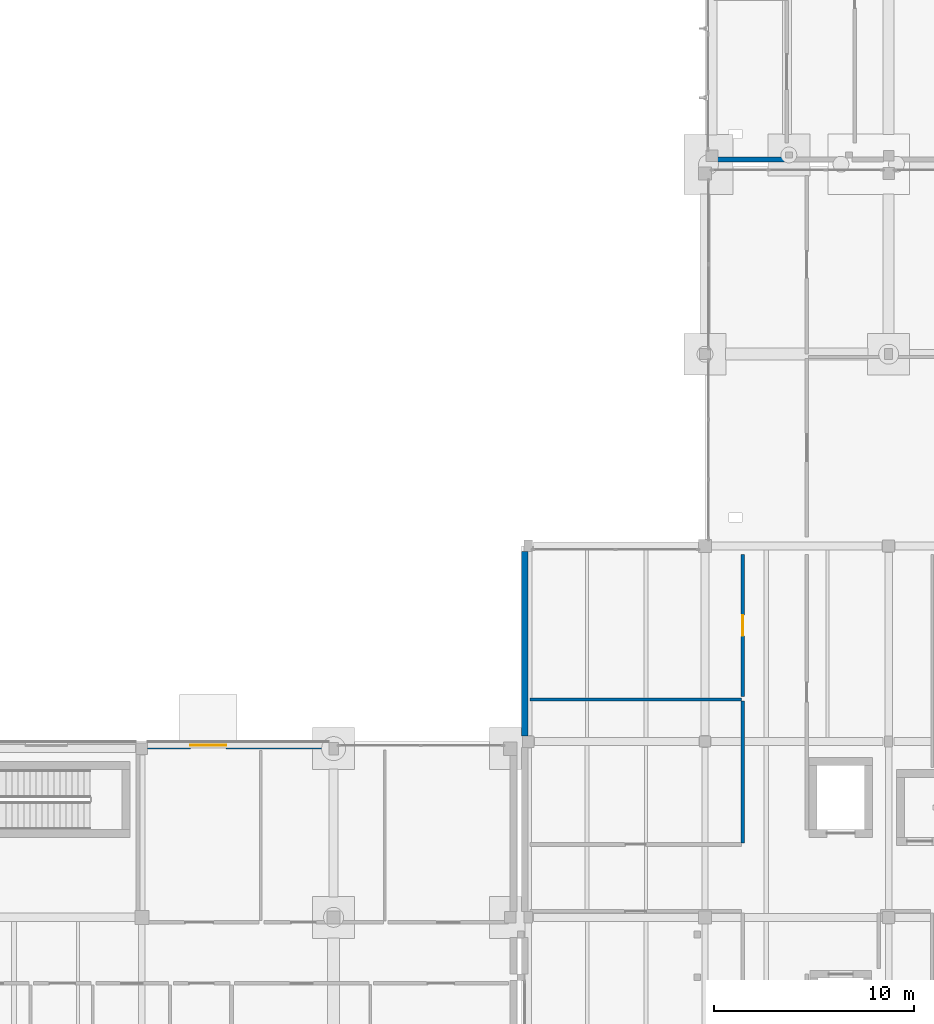
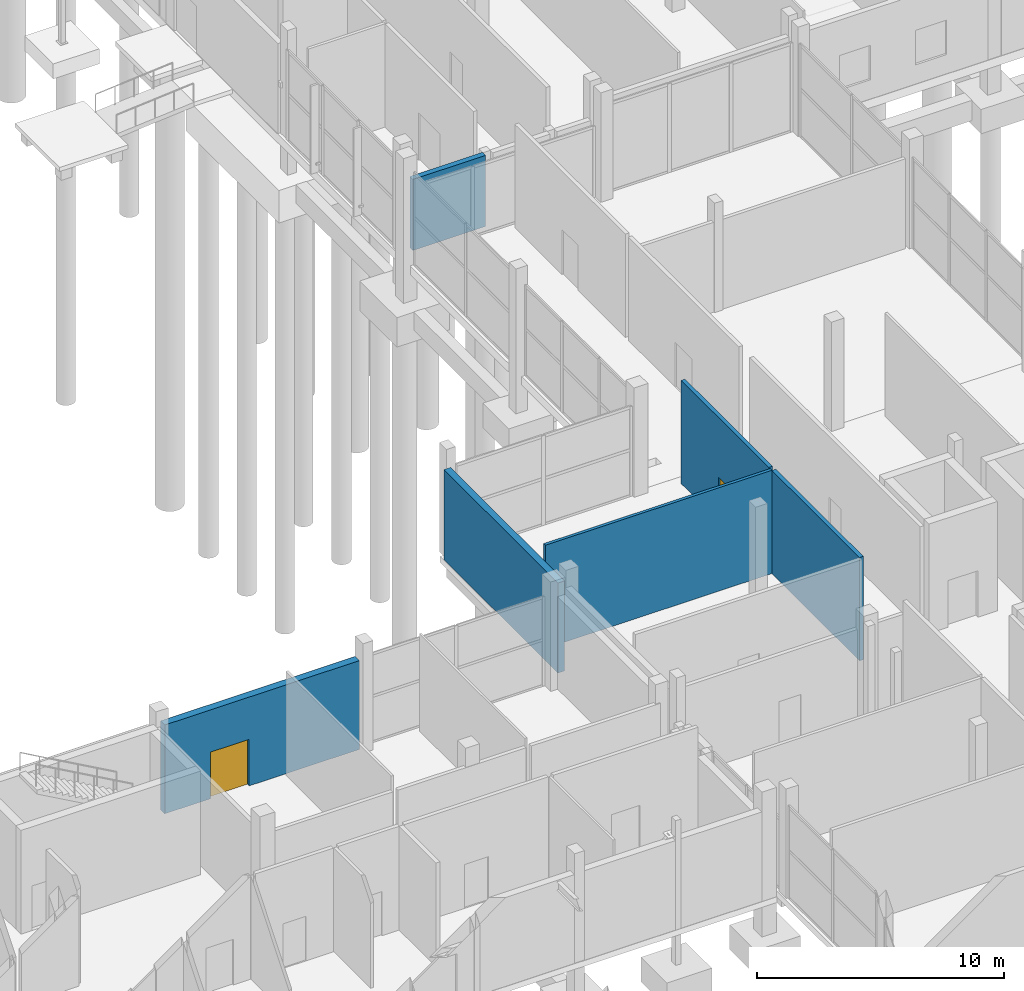
# One storey, part 62 of 88: 6 walls, 2 doors, 2 openings.
"""IFC4 building model written with IfcOpenShell, lengths in metres."""

from ifc_helpers import new_model, si_unit, direction, frame, frame_2d, origin, place, context, subcontext, project, spatial, rectangle, extrude, material, layer, layer_set, type_object, element, fill, save


model = new_model("IFC4")

# Units and contexts
model_context = context("Model", 3, precision=1e-05, world=origin(), true_north=direction((0.0, 1.0)))
body_context = subcontext(model_context, "Body", "Model", "MODEL_VIEW")
ifc_project = project(units=[si_unit("LENGTHUNIT", "METRE"), si_unit("AREAUNIT", "SQUARE_METRE"), si_unit("VOLUMEUNIT", "CUBIC_METRE"), si_unit("PLANEANGLEUNIT", "RADIAN"), si_unit("MASSUNIT", "GRAM", prefix="KILO")], contexts=[model_context])

# Site, building, storey
site_placement = place(None, origin())
site = spatial("IfcSite", under=ifc_project, at=site_placement, CompositionType="ELEMENT")
building_placement = place(site_placement, origin())
building = spatial("IfcBuilding", under=site, at=building_placement, Name="Birchvale Park Specialist Clinic", CompositionType="ELEMENT")
storey_placement = place(building_placement, origin())
storey = spatial("IfcBuildingStorey", under=building, at=storey_placement, Name="L00", CompositionType="ELEMENT", Elevation=0.0)

# Wall, opening, door
ifc_material_1 = material(Name="Lime-white mineral-rendered insulated masonry", Category="masonry")
ifc_layer_1 = layer(ifc_material_1, 0.340087890625)
ifc_layer_set_1 = layer_set([ifc_layer_1], Name="Lime-white mineral-rendered insulated masonry")
wall_type_1 = type_object("IfcWallType", Name="WL-EW-01", PredefinedType="STANDARD", material=ifc_layer_set_1)
wall_1_placement = place(storey_placement, frame((109.169921875, 34.409912109375, 0.0), z_axis=(0.0, 0.0, 1.0), x_axis=(-1.0, 0.0, 0.0)))
wall_1 = element("IfcWall", 1, at=wall_1_placement, inside=storey, type_object=wall_type_1, Name="V4 L00 exterior facade wall 81", PredefinedType="STANDARD", context=body_context, shape_type="SweptSolid", body=[
    extrude(rectangle(XDim=9.0849609375, YDim=0.340087890625, at=frame_2d((4.54248046875, 0.0))), origin(), (0.0, 0.0, 1.0), 4.385009765625),
])
opening_1_placement = place(wall_1_placement, frame((5.14599609375, 0.0, 0.0)))
opening_1 = element("IfcOpeningElement", 2, at=opening_1_placement, cuts=wall_1, Name="Opening ED-03", PredefinedType="OPENING", context=body_context, shape_type="SweptSolid", body=[
    extrude(rectangle(XDim=1.800048828125, YDim=2.300048828125, at=frame_2d((0.89990234375, 1.14990234375))), frame((0.0, 0.18017578125, 0.0), z_axis=(0.0, -1.0, 0.0), x_axis=(1.0, 0.0, 0.0)), (0.0, 0.0, 1.0), 0.360107421875),
])
ifc_material_2 = material(Name="Powder-coated aluminium and laminated safety glass", Category="aluminium")
door_type_1 = type_object("IfcDoorType", Name="DR-ED-03", OperationType="DOUBLE_DOOR_SINGLE_SWING", PredefinedType="DOOR", material=ifc_material_2)
door_1_placement = place(opening_1_placement, frame((1.800048828125, 0.0, 0.0), z_axis=(0.0, 0.0, 1.0), x_axis=(-1.0, 0.0, 0.0)))
door_1 = element("IfcDoor", 3, at=door_1_placement, inside=storey, type_object=door_type_1, Name="L00 V4 final exit double door 24", OperationType="DOUBLE_DOOR_SINGLE_SWING", OverallHeight=2.300048828125, OverallWidth=1.800048828125, PredefinedType="DOOR", context=body_context, shape_type="SweptSolid", body=[
    extrude(rectangle(XDim=1.800048828125, YDim=2.300048828125, at=frame_2d((0.89990234375, 1.14990234375))), frame((0.0, 0.02490234375, 0.0), z_axis=(0.0, -1.0, 0.0), x_axis=(1.0, 0.0, 0.0)), (0.0, 0.0, 1.0), 0.050048828125),
])
fill(opening_1, door_1)

# Walls
ifc_layer_2 = layer(ifc_material_1, 0.31005859375)
ifc_layer_set_2 = layer_set([ifc_layer_2], Name="Lime-white mineral-rendered insulated masonry")
wall_type_2 = type_object("IfcWallType", Name="WL-EW-02", PredefinedType="STANDARD", material=ifc_layer_set_2)
wall_2_placement = place(storey_placement, frame((118.97509765625, 44.114990234375, 0.0), z_axis=(0.0, 0.0, 1.0), x_axis=(0.0, -1.0, 0.0)))
element("IfcWall", 4, at=wall_2_placement, inside=storey, type_object=wall_type_2, Name="V5 L00 exterior facade wall 98", PredefinedType="STANDARD", context=body_context, shape_type="SweptSolid", body=[
    extrude(rectangle(XDim=9.22998046875, YDim=0.31005859375, at=frame_2d((4.614990234375, 0.0))), origin(), (0.0, 0.0, 1.0), 4.445068359375),
])
ifc_layer_3 = layer(ifc_material_1, 0.25)
ifc_layer_set_3 = layer_set([ifc_layer_3], Name="Lime-white mineral-rendered insulated masonry")
wall_type_3 = type_object("IfcWallType", Name="WL-EW-05", PredefinedType="STANDARD", material=ifc_layer_set_3)
wall_3_placement = place(storey_placement, frame((128.635009765625, 63.7451171875, 0.0), z_axis=(0.0, 0.0, 1.0), x_axis=(1.0, 0.0, 0.0)))
element("IfcWall", 5, at=wall_3_placement, inside=storey, type_object=wall_type_3, Name="V6 L00 exterior facade wall 101", PredefinedType="STANDARD", context=body_context, shape_type="SweptSolid", body=[
    extrude(rectangle(XDim=3.39501953125, YDim=0.25, at=frame_2d((1.697509765625, 0.0))), origin(), (0.0, 0.0, 1.0), 3.508056640625),
])
ifc_material_3 = material(Name="Acoustic gypsum board on metal framing")
ifc_layer_4 = layer(ifc_material_3, 0.139892578125)
ifc_layer_set_4 = layer_set([ifc_layer_4], Name="Acoustic gypsum board on metal framing")
wall_type_4 = type_object("IfcWallType", Name="WL-IW-03", PredefinedType="PARTITIONING", material=ifc_layer_set_4)
wall_4_placement = place(storey_placement, frame((119.239990234375, 36.705078125, 0.0), z_axis=(0.0, 0.0, 1.0), x_axis=(1.0, 0.0, 0.0)))
element("IfcWall", 6, at=wall_4_placement, inside=storey, type_object=wall_type_4, Name="V5 L00 clinical partition 235", PredefinedType="PARTITIONING", context=body_context, shape_type="SweptSolid", body=[
    extrude(rectangle(XDim=10.580078125, YDim=0.139892578125, at=frame_2d((5.2900390625, 0.0))), origin(), (0.0, 0.0, 1.0), 5.10009765625),
])
ifc_layer_5 = layer(ifc_material_3, 0.179931640625)
ifc_layer_set_5 = layer_set([ifc_layer_5], Name="Acoustic gypsum board on metal framing")
wall_type_5 = type_object("IfcWallType", Name="WL-IW-60", PredefinedType="PARTITIONING", material=ifc_layer_set_5)
wall_5_placement = place(storey_placement, frame((129.89990234375, 36.625, 0.0), z_axis=(0.0, 0.0, 1.0), x_axis=(0.0, -1.0, 0.0)))
element("IfcWall", 7, at=wall_5_placement, inside=storey, type_object=wall_type_5, Name="V5 L00 clinical partition 236", PredefinedType="PARTITIONING", context=body_context, shape_type="SweptSolid", body=[
    extrude(rectangle(XDim=7.094970703125, YDim=0.179931640625, at=frame_2d((3.54736328125, 0.0))), origin(), (0.0, 0.0, 1.0), 5.10009765625),
])

# Wall, opening, door
wall_6_placement = place(storey_placement, frame((129.89990234375, 43.9599609375, 0.0), z_axis=(0.0, 0.0, 1.0), x_axis=(0.0, -1.0, 0.0)))
wall_6 = element("IfcWall", 8, at=wall_6_placement, inside=storey, type_object=wall_type_5, Name="V5 L00 clinical partition 238", PredefinedType="PARTITIONING", context=body_context, shape_type="SweptSolid", body=[
    extrude(rectangle(XDim=7.094970703125, YDim=0.179931640625, at=frame_2d((3.54736328125, 0.0))), origin(), (0.0, 0.0, 1.0), 5.10009765625),
])
opening_2_placement = place(wall_6_placement, frame((3.027587890625, 0.0, 0.0)))
opening_2 = element("IfcOpeningElement", 9, at=opening_2_placement, cuts=wall_6, Name="Opening ID-02", PredefinedType="OPENING", context=body_context, shape_type="SweptSolid", body=[
    extrude(rectangle(XDim=1.0400390625, YDim=2.14990234375, at=frame_2d((0.52001953125, 1.074951171875))), frame((0.0, 0.10009765625, 0.0), z_axis=(0.0, -1.0, 0.0), x_axis=(1.0, 0.0, 0.0)), (0.0, 0.0, 1.0), 0.199951171875),
])
ifc_material_4 = material(Name="Solid-core birch veneer and anodised aluminium", Category="aluminium")
door_type_2 = type_object("IfcDoorType", Name="DR-ID-02", OperationType="NOTDEFINED", PredefinedType="DOOR", material=ifc_material_4)
door_2_placement = place(opening_2_placement, origin())
door_2 = element("IfcDoor", 10, at=door_2_placement, inside=storey, type_object=door_type_2, Name="L00 Pre-Procedure Assessment Clinic door", OperationType="SINGLE_SWING_RIGHT", OverallHeight=2.14990234375, OverallWidth=1.0400390625, PredefinedType="DOOR", context=body_context, shape_type="SweptSolid", body=[
    extrude(rectangle(XDim=1.0400390625, YDim=2.14990234375, at=frame_2d((0.52001953125, 1.074951171875))), frame((0.0, 0.02490234375, 0.0), z_axis=(0.0, -1.0, 0.0), x_axis=(1.0, 0.0, 0.0)), (0.0, 0.0, 1.0), 0.050048828125),
])
fill(opening_2, door_2)

save(model, "model.ifc")
